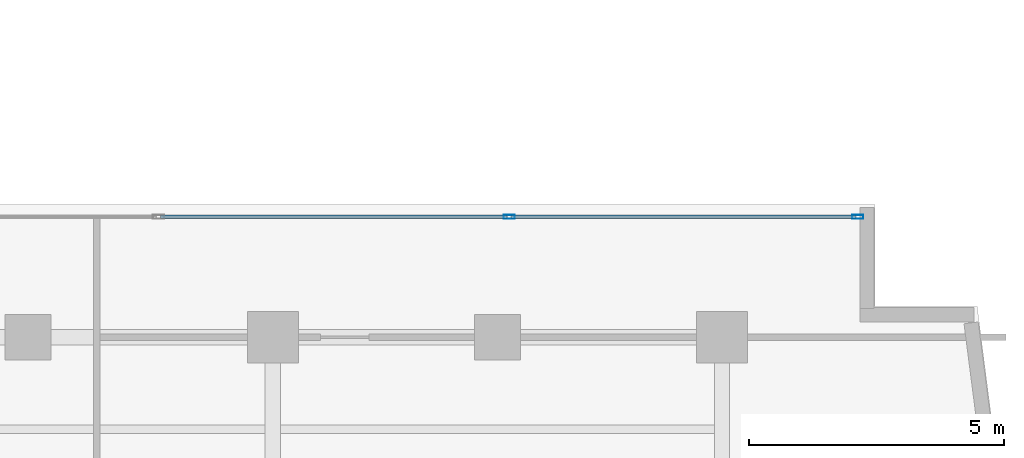
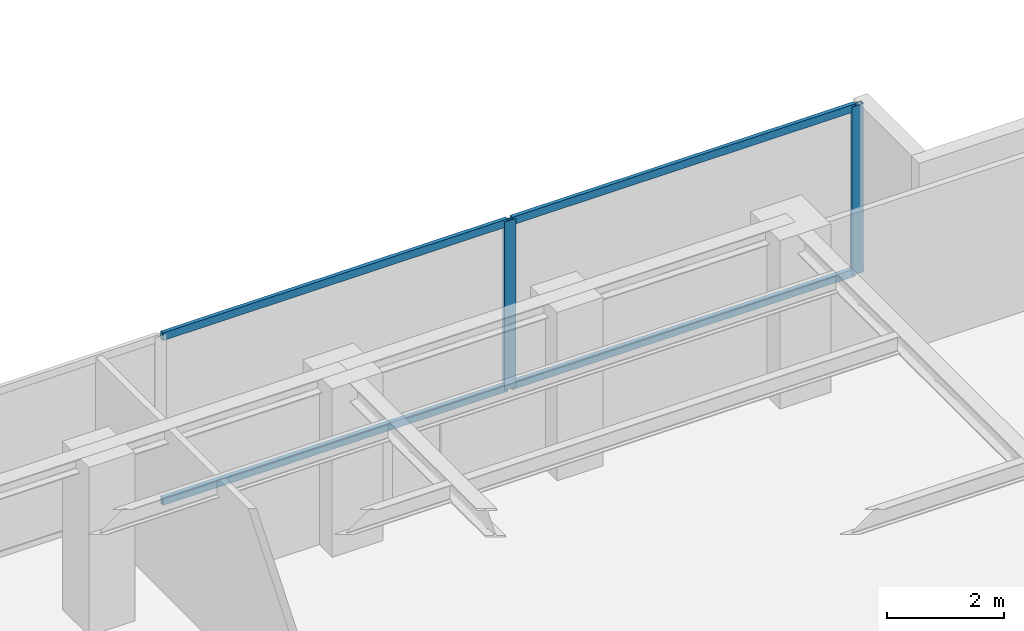
# One storey, part 12 of 22: 6 members, 1 element without a shape of its own.
"""IFC4 building model written with IfcOpenShell, lengths in metres."""

from ifc_helpers import new_model, si_unit, direction, frame, origin, origin_with_axes, origin_2d, place, context, subcontext, project, spatial, hollow_rectangle, extrude, source, transform, mapped, material, layer, layer_set, material_profile, profile_set, type_object, element, aggregate, save


model = new_model("IFC4")

# Units and contexts
model_context = context("Model", 3, precision=1e-05, world=origin(), true_north=direction((0.0, 1.0)))
body_context = subcontext(model_context, "Body", "Model", "MODEL_VIEW")
ifc_project = project(units=[si_unit("LENGTHUNIT", "METRE"), si_unit("AREAUNIT", "SQUARE_METRE"), si_unit("VOLUMEUNIT", "CUBIC_METRE"), si_unit("PLANEANGLEUNIT", "RADIAN"), si_unit("MASSUNIT", "GRAM", prefix="KILO")], contexts=[model_context])

# Site, building, storey
site_placement = place(None, origin())
site = spatial("IfcSite", under=ifc_project, at=site_placement, CompositionType="ELEMENT")
building_placement = place(site_placement, origin())
building = spatial("IfcBuilding", under=site, at=building_placement, Name="Kolvaren Waterfront Exchange", CompositionType="ELEMENT")
storey_placement = place(building_placement, frame((0.0, 0.0, 219.699951171875)))
storey = spatial("IfcBuildingStorey", under=building, at=storey_placement, Name="L56", CompositionType="ELEMENT", Elevation=219.699951171875)

# Curtain wall, members
ifc_material_1 = material(Name="Anodised bronze aluminium 6063-T6", Category="aluminium")
ifc_layer = layer(ifc_material_1, 0.219970703125, Name="Anodised bronze aluminium 6063-T6")
ifc_layer_set = layer_set([ifc_layer], Name="Anodised bronze aluminium 6063-T6")
curtain_wall_type = type_object("IfcCurtainWallType", Name="ARC-CW-SYS1", PredefinedType="USERDEFINED", material=ifc_layer_set)
curtain_wall_placement = place(storey_placement, origin())
curtain_wall = element("IfcCurtainWall", 1, at=curtain_wall_placement, inside=storey, type_object=curtain_wall_type, Name="L56 stick curtain wall CW1 (CW-L56-EN)", ObjectType="STICK CURTAIN WALL", PredefinedType="USERDEFINED")
ifc_material_2 = material(Name="Anodised aluminium 6063-T6", Category="aluminium")
ifc_material_profile_1 = material_profile(ifc_material_2, hollow_rectangle(XDim=0.080078125, YDim=0.219970703125, WallThickness=0.0048828125, at=origin_2d()), Name="ALU-MUL-220x80x5")
ifc_profile_set_1 = profile_set([ifc_material_profile_1], Name="Anodised aluminium 6063-T6")
member_type_1 = type_object("IfcMemberType", Name="ARC-CWM-220", PredefinedType="MULLION", material=ifc_profile_set_1)
shared_shape_1 = source(origin_with_axes(), body_context, "Body", "SweptSolid", [
    extrude(hollow_rectangle(XDim=0.080078125, YDim=0.219970703125, WallThickness=0.0048828125, at=origin_2d()), origin(), (0.0, 0.0, 1.0), 3.5),
])
member_1_placement = place(storey_placement, frame((41.429931640625, 19.760009765625, 0.0), z_axis=(0.0, 0.0, 1.0), x_axis=(0.0, 1.0, 0.0)))
member_1 = element("IfcMember", 2, at=member_1_placement, type_object=member_type_1, Name="CW1 mullion 3", PredefinedType="MULLION", context=body_context, shape_type="MappedRepresentation", body=[
    mapped(shared_shape_1, transform((0.0, 0.0, 0.0), x_axis=(1.0, 0.0, 0.0), y_axis=(0.0, 1.0, 0.0), z_axis=(0.0, 0.0, 1.0), scale=1.0)),
])
member_2_placement = place(storey_placement, frame((48.260009765625, 19.760009765625, 0.0), z_axis=(0.0, 0.0, 1.0), x_axis=(0.0, 1.0, 0.0)))
member_2 = element("IfcMember", 3, at=member_2_placement, type_object=member_type_1, Name="CW1 mullion 4", PredefinedType="MULLION", context=body_context, shape_type="MappedRepresentation", body=[
    mapped(shared_shape_1, transform((0.0, 0.0, 0.0), x_axis=(1.0, 0.0, 0.0), y_axis=(0.0, 1.0, 0.0), z_axis=(0.0, 0.0, 1.0), scale=1.0)),
])
ifc_material_profile_2 = material_profile(ifc_material_2, hollow_rectangle(XDim=0.074951171875, YDim=0.159912109375, WallThickness=0.00439453125, at=origin_2d()), Name="ALU-TRN-160x75x4.5")
ifc_profile_set_2 = profile_set([ifc_material_profile_2], Name="Anodised aluminium 6063-T6")
member_type_2 = type_object("IfcMemberType", Name="ARC-CWT-160", PredefinedType="USERDEFINED", material=ifc_profile_set_2)
shared_shape_2 = source(origin_with_axes(), body_context, "Body", "SweptSolid", [
    extrude(hollow_rectangle(XDim=0.074951171875, YDim=0.159912109375, WallThickness=0.00439453125, at=origin_2d()), origin(), (0.0, 0.0, 1.0), 6.75),
])
member_3_placement = place(storey_placement, frame((41.469970703125, 19.760009765625, 0.03759765625), z_axis=(1.0, 0.0, 0.0), x_axis=(0.0, 1.0, 0.0)))
member_3 = element("IfcMember", 4, at=member_3_placement, type_object=member_type_2, Name="CW1 transom 3.1", ObjectType="TRANSOM", PredefinedType="USERDEFINED", context=body_context, shape_type="MappedRepresentation", body=[
    mapped(shared_shape_2, transform((0.0, 0.0, 0.0), x_axis=(1.0, 0.0, 0.0), y_axis=(0.0, 1.0, 0.0), z_axis=(0.0, 0.0, 1.0), scale=1.0)),
])
member_4_placement = place(storey_placement, frame((41.469970703125, 19.760009765625, 3.462646484375), z_axis=(1.0, 0.0, 0.0), x_axis=(0.0, 1.0, 0.0)))
member_4 = element("IfcMember", 5, at=member_4_placement, type_object=member_type_2, Name="CW1 transom 3.2", ObjectType="TRANSOM", PredefinedType="USERDEFINED", context=body_context, shape_type="MappedRepresentation", body=[
    mapped(shared_shape_2, transform((0.0, 0.0, 0.0), x_axis=(1.0, 0.0, 0.0), y_axis=(0.0, 1.0, 0.0), z_axis=(0.0, 0.0, 1.0), scale=1.0)),
])
shared_shape_3 = source(origin_with_axes(), body_context, "Body", "SweptSolid", [
    extrude(hollow_rectangle(XDim=0.074951171875, YDim=0.159912109375, WallThickness=0.00439453125, at=origin_2d()), origin(), (0.0, 0.0, 1.0), 6.789794921875),
])
member_5_placement = place(storey_placement, frame((34.60009765625, 19.760009765625, 0.03759765625), z_axis=(1.0, 0.0, 0.0), x_axis=(0.0, 1.0, 0.0)))
member_5 = element("IfcMember", 6, at=member_5_placement, type_object=member_type_2, Name="CW1 transom 2.1", ObjectType="TRANSOM", PredefinedType="USERDEFINED", context=body_context, shape_type="MappedRepresentation", body=[
    mapped(shared_shape_3, transform((0.0, 0.0, 0.0), x_axis=(1.0, 0.0, 0.0), y_axis=(0.0, 1.0, 0.0), z_axis=(0.0, 0.0, 1.0), scale=1.0)),
])
member_6_placement = place(storey_placement, frame((34.60009765625, 19.760009765625, 3.462646484375), z_axis=(1.0, 0.0, 0.0), x_axis=(0.0, 1.0, 0.0)))
member_6 = element("IfcMember", 7, at=member_6_placement, type_object=member_type_2, Name="CW1 transom 2.2", ObjectType="TRANSOM", PredefinedType="USERDEFINED", context=body_context, shape_type="MappedRepresentation", body=[
    mapped(shared_shape_3, transform((0.0, 0.0, 0.0), x_axis=(1.0, 0.0, 0.0), y_axis=(0.0, 1.0, 0.0), z_axis=(0.0, 0.0, 1.0), scale=1.0)),
])
aggregate(curtain_wall, [member_1, member_2, member_5, member_6, member_3, member_4])

save(model, "model.ifc")
